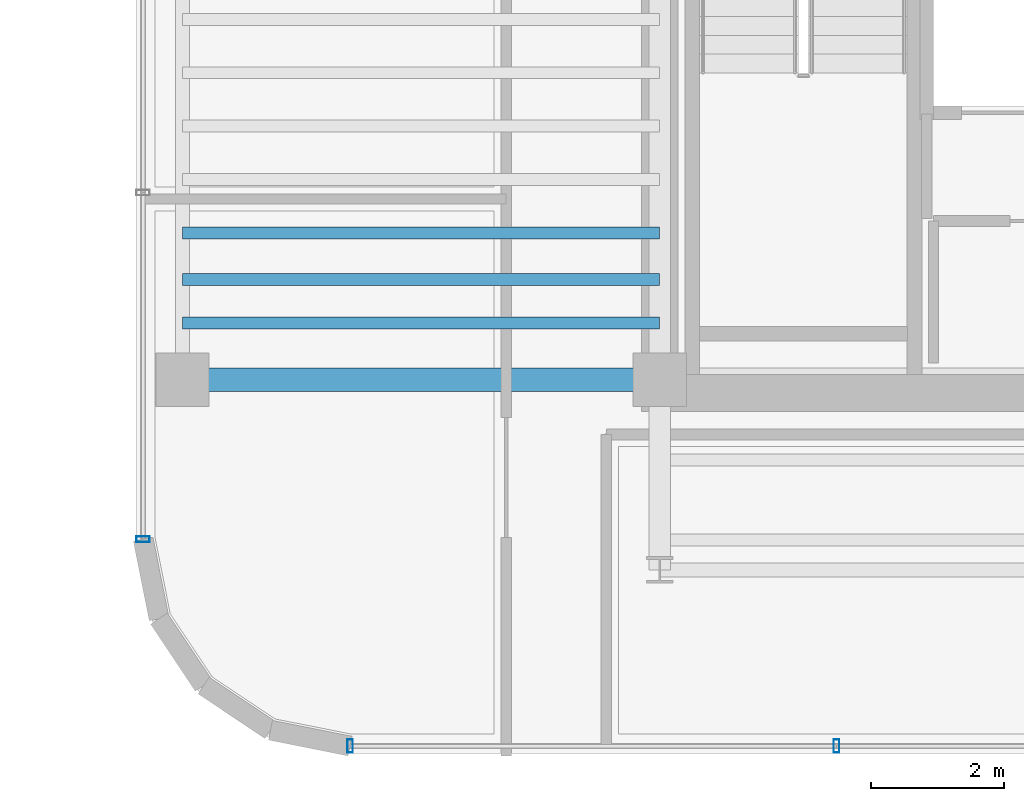
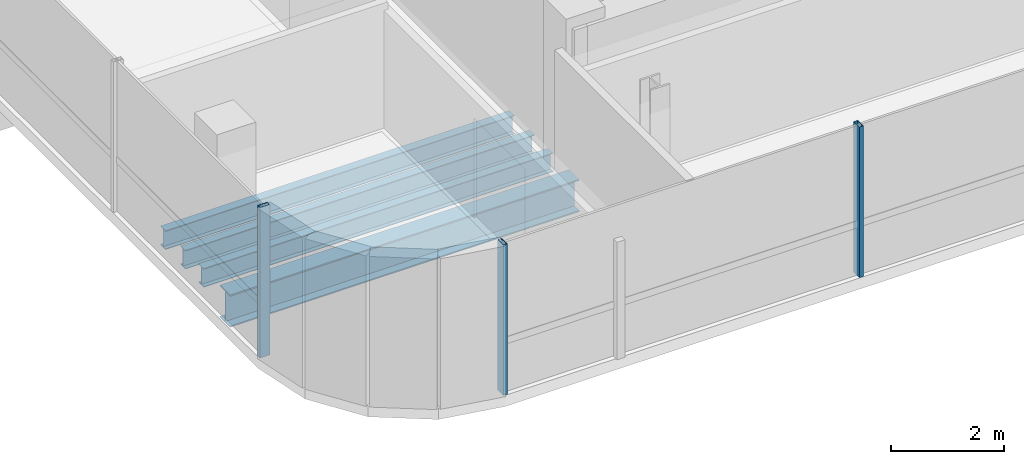
# One storey, part 2 of 18: 4 beams, 3 members, 2 elements without a shape of their own.
"""IFC4 building model written with IfcOpenShell, lengths in metres."""

from ifc_helpers import new_model, si_unit, direction, frame, origin, origin_2d, place, context, subcontext, project, spatial, hollow_rectangle, i_section, extrude, source, transform, mapped, material, material_profile, profile_set, type_object, element, aggregate, save


model = new_model("IFC4")

# Units and contexts
model_context = context("Model", 3, precision=1e-05, world=origin(), true_north=direction((0.0, 1.0)))
body_context = subcontext(model_context, "Body", "Model", "MODEL_VIEW")
ifc_project = project(units=[si_unit("LENGTHUNIT", "METRE"), si_unit("AREAUNIT", "SQUARE_METRE"), si_unit("VOLUMEUNIT", "CUBIC_METRE"), si_unit("PLANEANGLEUNIT", "RADIAN"), si_unit("MASSUNIT", "GRAM", prefix="KILO")], contexts=[model_context])

# Site, building, storey
site_placement = place(None, origin())
site = spatial("IfcSite", under=ifc_project, at=site_placement, CompositionType="ELEMENT")
building_placement = place(site_placement, origin())
building = spatial("IfcBuilding", under=site, at=building_placement, Name="Valdorenza Pilgrim Sanctuary Tower", CompositionType="ELEMENT")
storey_placement = place(building_placement, frame((0.0, 0.0, 247.5)))
storey = spatial("IfcBuildingStorey", under=building, at=storey_placement, Name="L64", CompositionType="ELEMENT", Elevation=247.5)

# Beams
ifc_material_1 = material(Name="Steel ASTM A992 Grade 50", Category="steel")
ifc_material_profile_1 = material_profile(ifc_material_1, i_section(OverallWidth=0.35595703125, OverallDepth=0.700927734375, WebThickness=0.016845703125, FlangeThickness=0.02734375, at=origin_2d()), Name="W27X161")
ifc_profile_set_1 = profile_set([ifc_material_profile_1], Name="Steel ASTM A992 Grade 50")
beam_type_1 = type_object("IfcBeamType", Name="STR-BM-GRD-W27", PredefinedType="BEAM", material=ifc_profile_set_1)
shared_shape_1 = source(origin(), body_context, "Body", "SweptSolid", [
    extrude(i_section(OverallWidth=0.35595703125, OverallDepth=0.700927734375, WebThickness=0.016845703125, FlangeThickness=0.02734375, at=origin_2d()), origin(), (0.0, 0.0, 1.0), 7.150146484375),
])
beam_placement = place(storey_placement, frame((-29.800048828125, -10.60009765625, -0.590576171875), z_axis=(1.0, 0.0, 0.0), x_axis=(0.0, 1.0, 0.0)))
element("IfcBeam", 1, at=beam_placement, inside=storey, type_object=beam_type_1, Name="L64 Floor Girder WA-XW-S1", PredefinedType="BEAM", context=body_context, shape_type="MappedRepresentation", body=[
    mapped(shared_shape_1, transform((0.0, 0.0, 0.0), x_axis=(1.0, 0.0, 0.0), y_axis=(0.0, 1.0, 0.0), z_axis=(0.0, 0.0, 1.0), scale=1.0)),
])
ifc_material_profile_2 = material_profile(ifc_material_1, i_section(OverallWidth=0.177978515625, OverallDepth=0.406005859375, WebThickness=0.0078125, FlangeThickness=0.0126953125, at=origin_2d()), Name="W16X40")
ifc_profile_set_2 = profile_set([ifc_material_profile_2], Name="Steel ASTM A992 Grade 50")
beam_type_2 = type_object("IfcBeamType", Name="STR-BM-JST-W16", PredefinedType="JOIST", material=ifc_profile_set_2)
shared_shape_2 = source(origin(), body_context, "Body", "SweptSolid", [
    extrude(i_section(OverallWidth=0.177978515625, OverallDepth=0.406005859375, WebThickness=0.0078125, FlangeThickness=0.0126953125, at=origin_2d()), origin(), (0.0, 0.0, 1.0), 7.150146484375),
])
for number, where, z_axis, x_axis, name in (
    (2, (-29.800048828125, -9.75, -0.443115234375), (1.0, 0.0, 0.0), (0.0, 1.0, 0.0), "L64 Composite Floor Joist JST-WA-1"),
    (3, (-29.800048828125, -9.10009765625, -0.443115234375), (1.0, 0.0, 0.0), (0.0, 1.0, 0.0), "L64 Composite Floor Joist JST-WA-2"),
    (4, (-29.800048828125, -8.39990234375, -0.443115234375), (1.0, 0.0, 0.0), (0.0, 1.0, 0.0), "L64 Composite Floor Joist JST-WA-3"),
):
    element("IfcBeam", number, at=place(storey_placement, frame(where, z_axis=z_axis, x_axis=x_axis)), inside=storey, type_object=beam_type_2, Name=name, PredefinedType="JOIST", context=body_context, shape_type="MappedRepresentation", body=[
        mapped(shared_shape_2, transform((0.0, 0.0, 0.0), x_axis=(1.0, 0.0, 0.0), y_axis=(0.0, 1.0, 0.0), z_axis=(0.0, 0.0, 1.0), scale=1.0)),
    ])

# Curtain wall, member
ifc_material_2 = material(Name="Curtain-wall IGU glazing", Category="glass")
curtain_wall_type = type_object("IfcCurtainWallType", Name="CW-SYS-02", PredefinedType="NOTDEFINED", material=ifc_material_2)
curtain_wall_1_placement = place(storey_placement, origin())
curtain_wall_1 = element("IfcCurtainWall", 5, at=curtain_wall_1_placement, inside=storey, type_object=curtain_wall_type, Name="L64 Curtain Wall CW-L64-1-1S1", PredefinedType="NOTDEFINED")
ifc_material_3 = material(Name="Anodised aluminium AW-6060", Category="aluminium")
ifc_material_profile_3 = material_profile(ifc_material_3, hollow_rectangle(XDim=0.0849609375, YDim=0.199951171875, WallThickness=0.0048828125, at=origin_2d()), Name="ALU-M 200x85x5")
ifc_profile_set_3 = profile_set([ifc_material_profile_3], Name="Anodised aluminium AW-6060")
member_type = type_object("IfcMemberType", Name="CW-MUL-02", PredefinedType="MULLION", material=ifc_profile_set_3)
shared_shape_3 = source(origin(), body_context, "Body", "SweptSolid", [
    extrude(hollow_rectangle(XDim=0.0849609375, YDim=0.199951171875, WallThickness=0.0048828125, at=origin_2d()), origin(), (0.0, 0.0, 1.0), 3.260009765625),
])
member_1_placement = place(storey_placement, frame((-30.389892578125, -12.9892578125, 0.0), z_axis=(0.0, 0.0, 1.0), x_axis=(0.0, 1.0, 0.0)))
member_1 = element("IfcMember", 6, at=member_1_placement, type_object=member_type, Name="CW-L64-1-1S1 Mullion 1", PredefinedType="MULLION", context=body_context, shape_type="MappedRepresentation", body=[
    mapped(shared_shape_3, transform((0.0, 0.0, 0.0), x_axis=(1.0, 0.0, 0.0), y_axis=(0.0, 1.0, 0.0), z_axis=(0.0, 0.0, 1.0), scale=1.0)),
])
aggregate(curtain_wall_1, [member_1])

# Curtain wall, members
curtain_wall_2_placement = place(storey_placement, origin())
curtain_wall_2 = element("IfcCurtainWall", 7, at=curtain_wall_2_placement, inside=storey, type_object=curtain_wall_type, Name="L64 Curtain Wall CW-L64-1-26", PredefinedType="NOTDEFINED")
member_2_placement = place(storey_placement, frame((-20.0, -16.090087890625, 0.0), z_axis=(0.0, 0.0, 1.0), x_axis=(-1.0, 0.0, 0.0)))
member_2 = element("IfcMember", 8, at=member_2_placement, type_object=member_type, Name="CW-L64-1-26 Mullion 2", PredefinedType="MULLION", context=body_context, shape_type="MappedRepresentation", body=[
    mapped(shared_shape_3, transform((0.0, 0.0, 0.0), x_axis=(1.0, 0.0, 0.0), y_axis=(0.0, 1.0, 0.0), z_axis=(0.0, 0.0, 1.0), scale=1.0)),
])
member_3_placement = place(storey_placement, frame((-27.289306640625, -16.090087890625, 0.0), z_axis=(0.0, 0.0, 1.0), x_axis=(-1.0, 0.0, 0.0)))
member_3 = element("IfcMember", 9, at=member_3_placement, type_object=member_type, Name="CW-L64-1-26 Mullion 3", PredefinedType="MULLION", context=body_context, shape_type="MappedRepresentation", body=[
    mapped(shared_shape_3, transform((0.0, 0.0, 0.0), x_axis=(1.0, 0.0, 0.0), y_axis=(0.0, 1.0, 0.0), z_axis=(0.0, 0.0, 1.0), scale=1.0)),
])
aggregate(curtain_wall_2, [member_2, member_3])

save(model, "model.ifc")
